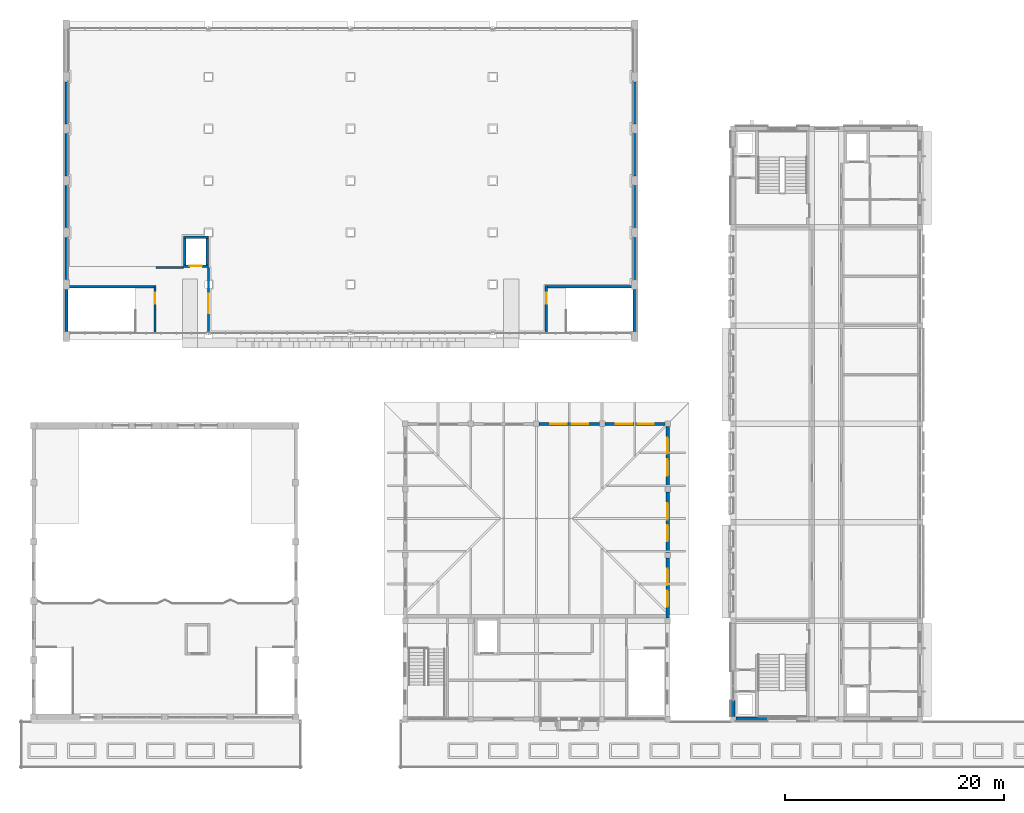
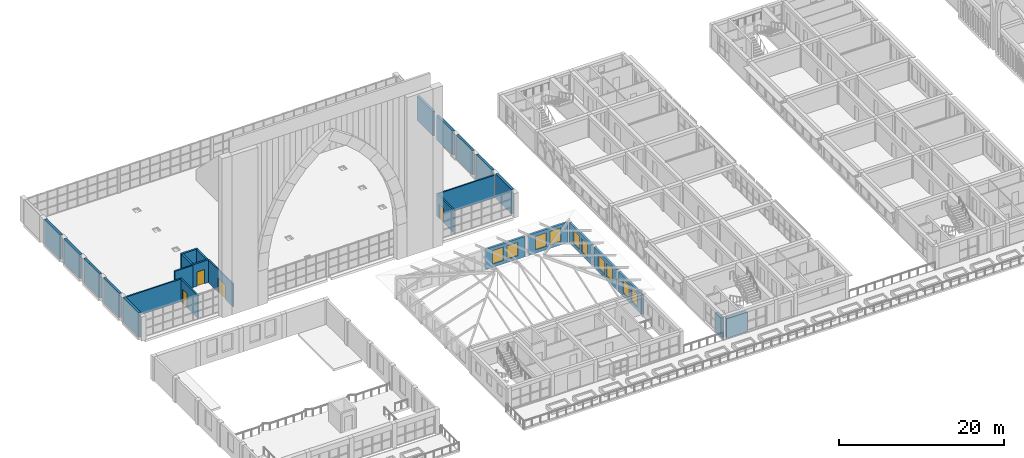
# One storey, part 44 of 82: 27 walls, 10 windows, 4 doors, 14 openings.
"""IFC4 building model written with IfcOpenShell, lengths in metres."""

from ifc_helpers import new_model, si_unit, direction, frame, frame_2d, origin, place, context, subcontext, project, spatial, rectangle, extrude, material, layer, layer_set, type_object, element, fill, save


model = new_model("IFC4")

# Units and contexts
model_context = context("Model", 3, precision=1e-05, world=origin(), true_north=direction((0.0, 1.0)))
body_context = subcontext(model_context, "Body", "Model", "MODEL_VIEW")
ifc_project = project(units=[si_unit("LENGTHUNIT", "METRE"), si_unit("AREAUNIT", "SQUARE_METRE"), si_unit("VOLUMEUNIT", "CUBIC_METRE"), si_unit("PLANEANGLEUNIT", "RADIAN"), si_unit("MASSUNIT", "GRAM", prefix="KILO")], contexts=[model_context])

# Site, building, storey
site_placement = place(None, origin())
site = spatial("IfcSite", under=ifc_project, at=site_placement, CompositionType="ELEMENT")
building_placement = place(site_placement, origin())
building = spatial("IfcBuilding", under=site, at=building_placement, Name="Elbe Cascade School", CompositionType="ELEMENT")
storey_placement = place(building_placement, frame((0.0, 0.0, 4.5)))
storey = spatial("IfcBuildingStorey", under=building, at=storey_placement, Name="L01", CompositionType="ELEMENT", Elevation=4.5)

# Walls
ifc_material_1 = material(Name="Brick masonry - red clinker, solid, sandstone-faced", Category="masonry")
ifc_layer_1 = layer(ifc_material_1, 0.39990234375)
ifc_layer_set_1 = layer_set([ifc_layer_1], Name="Brick masonry - red clinker, solid, sandstone-faced")
wall_type_1 = type_object("IfcWallType", Name="Bars envelope External wall - solid masonry core strip, sandstone faced, 400", PredefinedType="STANDARD", material=ifc_layer_set_1)
wall_1_placement = place(storey_placement, frame((68.97998046875, 6.25, 0.0), z_axis=(0.0, 0.0, 1.0), x_axis=(0.0, 1.0, 0.0)))
element("IfcWall", 1, at=wall_1_placement, inside=storey, type_object=wall_type_1, Name="External wall W31 A.L01.w1a", PredefinedType="STANDARD", context=body_context, shape_type="SweptSolid", body=[
    extrude(rectangle(XDim=1.43994140625, YDim=0.39990234375, at=frame_2d((0.719970703125, 0.0))), origin(), (0.0, 0.0, 1.0), 2.85009765625),
])
wall_2_placement = place(storey_placement, frame((72.14990234375, 5.97998046875, 0.0), z_axis=(0.0, 0.0, 1.0), x_axis=(-1.0, 0.0, 0.0)))
element("IfcWall", 2, at=wall_2_placement, inside=storey, type_object=wall_type_1, Name="External wall W31 A.L01.s1a", PredefinedType="STANDARD", context=body_context, shape_type="SweptSolid", body=[
    extrude(rectangle(XDim=2.89990234375, YDim=0.39990234375, at=frame_2d((1.449951171875, 0.0))), origin(), (0.0, 0.0, 1.0), 2.89990234375),
])

# Wall, openings, windows
ifc_material_2 = material(Name="Concrete C30/37", Category="concrete")
ifc_layer_2 = layer(ifc_material_2, 0.300048828125)
ifc_layer_set_2 = layer_set([ifc_layer_2], Name="Concrete C30/37")
wall_type_2 = type_object("IfcWallType", Name="Dining hall RC wall 300", PredefinedType="SOLIDWALL", material=ifc_layer_set_2)
wall_3_placement = place(storey_placement, frame((63.0, 20.75, 0.0), z_axis=(0.0, 0.0, 1.0), x_axis=(0.0, -1.0, 0.0)))
wall_3 = element("IfcWall", 3, at=wall_3_placement, inside=storey, type_object=wall_type_2, Name="Dining hall RC wall 300 W11", PredefinedType="SOLIDWALL", context=body_context, shape_type="SweptSolid", body=[
    extrude(rectangle(XDim=5.5, YDim=0.300048828125, at=frame_2d((2.75, 0.0))), origin(), (0.0, 0.0, 1.0), 2.992919921875),
])
opening_1_placement = place(wall_3_placement, frame((3.0, 0.0, 0.5)))
opening_1 = element("IfcOpeningElement", 4, at=opening_1_placement, cuts=wall_3, Name="Opening W1.163", PredefinedType="OPENING", context=body_context, shape_type="SweptSolid", body=[
    extrude(rectangle(XDim=1.5, YDim=2.0, at=frame_2d((0.75, 1.0))), frame((0.0, 0.159912109375, 0.0), z_axis=(0.0, -1.0, 0.0), x_axis=(1.0, 0.0, 0.0)), (0.0, 0.0, 1.0), 0.320068359375),
])
opening_2_placement = place(wall_3_placement, frame((1.0, 0.0, 0.5)))
opening_2 = element("IfcOpeningElement", 5, at=opening_2_placement, cuts=wall_3, Name="Opening W1.165", PredefinedType="OPENING", context=body_context, shape_type="SweptSolid", body=[
    extrude(rectangle(XDim=1.5, YDim=2.0, at=frame_2d((0.75, 1.0))), frame((0.0, 0.159912109375, 0.0), z_axis=(0.0, -1.0, 0.0), x_axis=(1.0, 0.0, 0.0)), (0.0, 0.0, 1.0), 0.320068359375),
])
ifc_material_3 = material(Name="Aluminium - bronze anodised", Category="aluminium")
window_type = type_object("IfcWindowType", Name="Dining hall clerestory window 1500x2000 sill 500", PartitioningType="SINGLE_PANEL", PredefinedType="WINDOW", material=ifc_material_3)
window_1_placement = place(opening_1_placement, origin())
window_1 = element("IfcWindow", 6, at=window_1_placement, inside=storey, type_object=window_type, Name="Dining hall clerestory window 1500x2000 sill 500 W1.163", OverallHeight=2.0, OverallWidth=1.5, PartitioningType="SINGLE_PANEL", PredefinedType="WINDOW", context=body_context, shape_type="SweptSolid", body=[
    extrude(rectangle(XDim=1.5, YDim=2.0, at=frame_2d((0.75, 1.0))), frame((0.0, 0.030029296875, 0.0), z_axis=(0.0, -1.0, 0.0), x_axis=(1.0, 0.0, 0.0)), (0.0, 0.0, 1.0), 0.06005859375),
])
fill(opening_1, window_1)
window_2_placement = place(opening_2_placement, origin())
window_2 = element("IfcWindow", 7, at=window_2_placement, inside=storey, type_object=window_type, Name="Dining hall clerestory window 1500x2000 sill 500 W1.165", OverallHeight=2.0, OverallWidth=1.5, PartitioningType="SINGLE_PANEL", PredefinedType="WINDOW", context=body_context, shape_type="SweptSolid", body=[
    extrude(rectangle(XDim=1.5, YDim=2.0, at=frame_2d((0.75, 1.0))), frame((0.0, 0.030029296875, 0.0), z_axis=(0.0, -1.0, 0.0), x_axis=(1.0, 0.0, 0.0)), (0.0, 0.0, 1.0), 0.06005859375),
])
fill(opening_2, window_2)

wall_4_placement = place(storey_placement, frame((63.0, 26.75, 0.0), z_axis=(0.0, 0.0, 1.0), x_axis=(0.0, -1.0, 0.0)))
wall_4 = element("IfcWall", 8, at=wall_4_placement, inside=storey, type_object=wall_type_2, Name="Dining hall RC wall 300 W11", PredefinedType="SOLIDWALL", context=body_context, shape_type="SweptSolid", body=[
    extrude(rectangle(XDim=5.5, YDim=0.300048828125, at=frame_2d((2.75, 0.0))), origin(), (0.0, 0.0, 1.0), 2.992919921875),
])
opening_3_placement = place(wall_4_placement, frame((3.0, 0.0, 0.5)))
opening_3 = element("IfcOpeningElement", 9, at=opening_3_placement, cuts=wall_4, Name="Opening W1.167", PredefinedType="OPENING", context=body_context, shape_type="SweptSolid", body=[
    extrude(rectangle(XDim=1.5, YDim=2.0, at=frame_2d((0.75, 1.0))), frame((0.0, 0.159912109375, 0.0), z_axis=(0.0, -1.0, 0.0), x_axis=(1.0, 0.0, 0.0)), (0.0, 0.0, 1.0), 0.320068359375),
])
opening_4_placement = place(wall_4_placement, frame((1.0, 0.0, 0.5)))
opening_4 = element("IfcOpeningElement", 10, at=opening_4_placement, cuts=wall_4, Name="Opening W1.169", PredefinedType="OPENING", context=body_context, shape_type="SweptSolid", body=[
    extrude(rectangle(XDim=1.5, YDim=2.0, at=frame_2d((0.75, 1.0))), frame((0.0, 0.159912109375, 0.0), z_axis=(0.0, -1.0, 0.0), x_axis=(1.0, 0.0, 0.0)), (0.0, 0.0, 1.0), 0.320068359375),
])
window_3_placement = place(opening_3_placement, origin())
window_3 = element("IfcWindow", 11, at=window_3_placement, inside=storey, type_object=window_type, Name="Dining hall clerestory window 1500x2000 sill 500 W1.167", OverallHeight=2.0, OverallWidth=1.5, PartitioningType="SINGLE_PANEL", PredefinedType="WINDOW", context=body_context, shape_type="SweptSolid", body=[
    extrude(rectangle(XDim=1.5, YDim=2.0, at=frame_2d((0.75, 1.0))), frame((0.0, 0.030029296875, 0.0), z_axis=(0.0, -1.0, 0.0), x_axis=(1.0, 0.0, 0.0)), (0.0, 0.0, 1.0), 0.06005859375),
])
fill(opening_3, window_3)
window_4_placement = place(opening_4_placement, origin())
window_4 = element("IfcWindow", 12, at=window_4_placement, inside=storey, type_object=window_type, Name="Dining hall clerestory window 1500x2000 sill 500 W1.169", OverallHeight=2.0, OverallWidth=1.5, PartitioningType="SINGLE_PANEL", PredefinedType="WINDOW", context=body_context, shape_type="SweptSolid", body=[
    extrude(rectangle(XDim=1.5, YDim=2.0, at=frame_2d((0.75, 1.0))), frame((0.0, 0.030029296875, 0.0), z_axis=(0.0, -1.0, 0.0), x_axis=(1.0, 0.0, 0.0)), (0.0, 0.0, 1.0), 0.06005859375),
])
fill(opening_4, window_4)

wall_5_placement = place(storey_placement, frame((63.0, 32.75, 0.0), z_axis=(0.0, 0.0, 1.0), x_axis=(0.0, -1.0, 0.0)))
wall_5 = element("IfcWall", 13, at=wall_5_placement, inside=storey, type_object=wall_type_2, Name="Dining hall RC wall 300 W11", PredefinedType="SOLIDWALL", context=body_context, shape_type="SweptSolid", body=[
    extrude(rectangle(XDim=5.5, YDim=0.300048828125, at=frame_2d((2.75, 0.0))), origin(), (0.0, 0.0, 1.0), 2.992919921875),
])
opening_5_placement = place(wall_5_placement, frame((3.0, 0.0, 0.5)))
opening_5 = element("IfcOpeningElement", 14, at=opening_5_placement, cuts=wall_5, Name="Opening W1.171", PredefinedType="OPENING", context=body_context, shape_type="SweptSolid", body=[
    extrude(rectangle(XDim=1.5, YDim=2.0, at=frame_2d((0.75, 1.0))), frame((0.0, 0.159912109375, 0.0), z_axis=(0.0, -1.0, 0.0), x_axis=(1.0, 0.0, 0.0)), (0.0, 0.0, 1.0), 0.320068359375),
])
opening_6_placement = place(wall_5_placement, frame((1.0, 0.0, 0.5)))
opening_6 = element("IfcOpeningElement", 15, at=opening_6_placement, cuts=wall_5, Name="Opening W1.173", PredefinedType="OPENING", context=body_context, shape_type="SweptSolid", body=[
    extrude(rectangle(XDim=1.5, YDim=2.0, at=frame_2d((0.75, 1.0))), frame((0.0, 0.159912109375, 0.0), z_axis=(0.0, -1.0, 0.0), x_axis=(1.0, 0.0, 0.0)), (0.0, 0.0, 1.0), 0.320068359375),
])
window_5_placement = place(opening_5_placement, origin())
window_5 = element("IfcWindow", 16, at=window_5_placement, inside=storey, type_object=window_type, Name="Dining hall clerestory window 1500x2000 sill 500 W1.171", OverallHeight=2.0, OverallWidth=1.5, PartitioningType="SINGLE_PANEL", PredefinedType="WINDOW", context=body_context, shape_type="SweptSolid", body=[
    extrude(rectangle(XDim=1.5, YDim=2.0, at=frame_2d((0.75, 1.0))), frame((0.0, 0.030029296875, 0.0), z_axis=(0.0, -1.0, 0.0), x_axis=(1.0, 0.0, 0.0)), (0.0, 0.0, 1.0), 0.06005859375),
])
fill(opening_5, window_5)
window_6_placement = place(opening_6_placement, origin())
window_6 = element("IfcWindow", 17, at=window_6_placement, inside=storey, type_object=window_type, Name="Dining hall clerestory window 1500x2000 sill 500 W1.173", OverallHeight=2.0, OverallWidth=1.5, PartitioningType="SINGLE_PANEL", PredefinedType="WINDOW", context=body_context, shape_type="SweptSolid", body=[
    extrude(rectangle(XDim=1.5, YDim=2.0, at=frame_2d((0.75, 1.0))), frame((0.0, 0.030029296875, 0.0), z_axis=(0.0, -1.0, 0.0), x_axis=(1.0, 0.0, 0.0)), (0.0, 0.0, 1.0), 0.06005859375),
])
fill(opening_6, window_6)

wall_6_placement = place(storey_placement, frame((51.25, 33.0, 0.0), z_axis=(0.0, 0.0, 1.0), x_axis=(1.0, 0.0, 0.0)))
wall_6 = element("IfcWall", 18, at=wall_6_placement, inside=storey, type_object=wall_type_2, Name="Dining hall RC wall 300 W11", PredefinedType="SOLIDWALL", context=body_context, shape_type="SweptSolid", body=[
    extrude(rectangle(XDim=5.5, YDim=0.300048828125, at=frame_2d((2.75, 0.0))), origin(), (0.0, 0.0, 1.0), 2.992919921875),
])
opening_7_placement = place(wall_6_placement, frame((1.0, 0.0, 0.5)))
opening_7 = element("IfcOpeningElement", 19, at=opening_7_placement, cuts=wall_6, Name="Opening W1.178", PredefinedType="OPENING", context=body_context, shape_type="SweptSolid", body=[
    extrude(rectangle(XDim=1.5, YDim=2.0, at=frame_2d((0.75, 1.0))), frame((0.0, 0.159912109375, 0.0), z_axis=(0.0, -1.0, 0.0), x_axis=(1.0, 0.0, 0.0)), (0.0, 0.0, 1.0), 0.320068359375),
])
opening_8_placement = place(wall_6_placement, frame((3.0, 0.0, 0.5)))
opening_8 = element("IfcOpeningElement", 20, at=opening_8_placement, cuts=wall_6, Name="Opening W1.179", PredefinedType="OPENING", context=body_context, shape_type="SweptSolid", body=[
    extrude(rectangle(XDim=1.5, YDim=2.0, at=frame_2d((0.75, 1.0))), frame((0.0, 0.159912109375, 0.0), z_axis=(0.0, -1.0, 0.0), x_axis=(1.0, 0.0, 0.0)), (0.0, 0.0, 1.0), 0.320068359375),
])
window_7_placement = place(opening_7_placement, origin())
window_7 = element("IfcWindow", 21, at=window_7_placement, inside=storey, type_object=window_type, Name="Dining hall clerestory window 1500x2000 sill 500 W1.178", OverallHeight=2.0, OverallWidth=1.5, PartitioningType="SINGLE_PANEL", PredefinedType="WINDOW", context=body_context, shape_type="SweptSolid", body=[
    extrude(rectangle(XDim=1.5, YDim=2.0, at=frame_2d((0.75, 1.0))), frame((0.0, 0.030029296875, 0.0), z_axis=(0.0, -1.0, 0.0), x_axis=(1.0, 0.0, 0.0)), (0.0, 0.0, 1.0), 0.06005859375),
])
fill(opening_7, window_7)
window_8_placement = place(opening_8_placement, origin())
window_8 = element("IfcWindow", 22, at=window_8_placement, inside=storey, type_object=window_type, Name="Dining hall clerestory window 1500x2000 sill 500 W1.179", OverallHeight=2.0, OverallWidth=1.5, PartitioningType="SINGLE_PANEL", PredefinedType="WINDOW", context=body_context, shape_type="SweptSolid", body=[
    extrude(rectangle(XDim=1.5, YDim=2.0, at=frame_2d((0.75, 1.0))), frame((0.0, 0.030029296875, 0.0), z_axis=(0.0, -1.0, 0.0), x_axis=(1.0, 0.0, 0.0)), (0.0, 0.0, 1.0), 0.06005859375),
])
fill(opening_8, window_8)

wall_7_placement = place(storey_placement, frame((57.25, 33.0, 0.0), z_axis=(0.0, 0.0, 1.0), x_axis=(1.0, 0.0, 0.0)))
wall_7 = element("IfcWall", 23, at=wall_7_placement, inside=storey, type_object=wall_type_2, Name="Dining hall RC wall 300 W11", PredefinedType="SOLIDWALL", context=body_context, shape_type="SweptSolid", body=[
    extrude(rectangle(XDim=5.5, YDim=0.300048828125, at=frame_2d((2.75, 0.0))), origin(), (0.0, 0.0, 1.0), 2.992919921875),
])
opening_9_placement = place(wall_7_placement, frame((1.0, 0.0, 0.5)))
opening_9 = element("IfcOpeningElement", 24, at=opening_9_placement, cuts=wall_7, Name="Opening W1.180", PredefinedType="OPENING", context=body_context, shape_type="SweptSolid", body=[
    extrude(rectangle(XDim=1.5, YDim=2.0, at=frame_2d((0.75, 1.0))), frame((0.0, 0.159912109375, 0.0), z_axis=(0.0, -1.0, 0.0), x_axis=(1.0, 0.0, 0.0)), (0.0, 0.0, 1.0), 0.320068359375),
])
opening_10_placement = place(wall_7_placement, frame((3.0, 0.0, 0.5)))
opening_10 = element("IfcOpeningElement", 25, at=opening_10_placement, cuts=wall_7, Name="Opening W1.181", PredefinedType="OPENING", context=body_context, shape_type="SweptSolid", body=[
    extrude(rectangle(XDim=1.5, YDim=2.0, at=frame_2d((0.75, 1.0))), frame((0.0, 0.159912109375, 0.0), z_axis=(0.0, -1.0, 0.0), x_axis=(1.0, 0.0, 0.0)), (0.0, 0.0, 1.0), 0.320068359375),
])
window_9_placement = place(opening_9_placement, origin())
window_9 = element("IfcWindow", 26, at=window_9_placement, inside=storey, type_object=window_type, Name="Dining hall clerestory window 1500x2000 sill 500 W1.180", OverallHeight=2.0, OverallWidth=1.5, PartitioningType="SINGLE_PANEL", PredefinedType="WINDOW", context=body_context, shape_type="SweptSolid", body=[
    extrude(rectangle(XDim=1.5, YDim=2.0, at=frame_2d((0.75, 1.0))), frame((0.0, 0.030029296875, 0.0), z_axis=(0.0, -1.0, 0.0), x_axis=(1.0, 0.0, 0.0)), (0.0, 0.0, 1.0), 0.06005859375),
])
fill(opening_9, window_9)
window_10_placement = place(opening_10_placement, origin())
window_10 = element("IfcWindow", 27, at=window_10_placement, inside=storey, type_object=window_type, Name="Dining hall clerestory window 1500x2000 sill 500 W1.181", OverallHeight=2.0, OverallWidth=1.5, PartitioningType="SINGLE_PANEL", PredefinedType="WINDOW", context=body_context, shape_type="SweptSolid", body=[
    extrude(rectangle(XDim=1.5, YDim=2.0, at=frame_2d((0.75, 1.0))), frame((0.0, 0.030029296875, 0.0), z_axis=(0.0, -1.0, 0.0), x_axis=(1.0, 0.0, 0.0)), (0.0, 0.0, 1.0), 0.06005859375),
])
fill(opening_10, window_10)

# Wall, opening, door
ifc_material_4 = material(Name="Blockwork - lightweight aggregate, fire-rated", Category="masonry")
ifc_layer_3 = layer(ifc_material_4, 0.199951171875)
ifc_layer_set_3 = layer_set([ifc_layer_3], Name="Blockwork - lightweight aggregate, fire-rated")
wall_type_3 = type_object("IfcWallType", Name="Hall fire-rated partition 200", PredefinedType="PARTITIONING", material=ifc_layer_set_3)
wall_8_placement = place(storey_placement, frame((21.0, 41.375, 0.0), z_axis=(0.0, 0.0, 1.0), x_axis=(0.0, 1.0, 0.0)))
wall_8 = element("IfcWall", 28, at=wall_8_placement, inside=storey, type_object=wall_type_3, Name="Partition", PredefinedType="PARTITIONING", context=body_context, shape_type="SweptSolid", body=[
    extrude(rectangle(XDim=5.925048828125, YDim=0.199951171875, at=frame_2d((2.96240234375, 0.0))), origin(), (0.0, 0.0, 1.0), 3.35009765625),
])
opening_11_placement = place(wall_8_placement, frame((1.72509765625, 0.0, 0.0)))
opening_11 = element("IfcOpeningElement", 29, at=opening_11_placement, cuts=wall_8, Name="Opening D1.109", PredefinedType="OPENING", context=body_context, shape_type="SweptSolid", body=[
    extrude(rectangle(XDim=1.800048828125, YDim=2.10009765625, at=frame_2d((0.89990234375, 1.050048828125))), frame((0.0, 0.10986328125, 0.0), z_axis=(0.0, -1.0, 0.0), x_axis=(1.0, 0.0, 0.0)), (0.0, 0.0, 1.0), 0.219970703125),
])
ifc_material_5 = material(Name="Timber door leaf", Category="wood")
door_type_1 = type_object("IfcDoorType", Name="Hall double door 1800", OperationType="DOUBLE_DOOR_SINGLE_SWING", PredefinedType="DOOR", material=ifc_material_5)
door_1_placement = place(opening_11_placement, frame((1.800048828125, 0.0, 0.0), z_axis=(0.0, 0.0, 1.0), x_axis=(-1.0, 0.0, 0.0)))
door_1 = element("IfcDoor", 30, at=door_1_placement, inside=storey, type_object=door_type_1, Name="Hall door", OperationType="DOUBLE_DOOR_SINGLE_SWING", OverallHeight=2.10009765625, OverallWidth=1.800048828125, PredefinedType="DOOR", context=body_context, shape_type="SweptSolid", body=[
    extrude(rectangle(XDim=1.800048828125, YDim=2.10009765625, at=frame_2d((0.89990234375, 1.050048828125))), frame((0.0, 0.02490234375, 0.0), z_axis=(0.0, -1.0, 0.0), x_axis=(1.0, 0.0, 0.0)), (0.0, 0.0, 1.0), 0.050048828125),
])
fill(opening_11, door_1)

# Wall
wall_9_placement = place(storey_placement, frame((16.199951171875, 47.300048828125, 0.0), z_axis=(0.0, 0.0, 1.0), x_axis=(1.0, 0.0, 0.0)))
element("IfcWall", 31, at=wall_9_placement, inside=storey, type_object=wall_type_3, Name="Partition", PredefinedType="PARTITIONING", context=body_context, shape_type="SweptSolid", body=[
    extrude(rectangle(XDim=2.5, YDim=0.199951171875, at=frame_2d((1.25, 0.0))), origin(), (0.0, 0.0, 1.0), 3.35009765625),
])

# Wall, opening, door
ifc_material_6 = material(Name="Concrete C30/37 shaft wall", Category="concrete")
ifc_layer_4 = layer(ifc_material_6, 0.25)
ifc_layer_set_4 = layer_set([ifc_layer_4], Name="Concrete C30/37 shaft wall")
wall_type_4 = type_object("IfcWallType", Name="Hall lift shaft wall Concrete C30/37 250", PredefinedType="SOLIDWALL", material=ifc_layer_set_4)
wall_10_placement = place(storey_placement, frame((18.699951171875, 47.425048828125, 0.0), z_axis=(0.0, 0.0, 1.0), x_axis=(1.0, 0.0, 0.0)))
wall_10 = element("IfcWall", 32, at=wall_10_placement, inside=storey, type_object=wall_type_4, Name="Lift shaft wall", PredefinedType="SOLIDWALL", context=body_context, shape_type="SweptSolid", body=[
    extrude(rectangle(XDim=2.300048828125, YDim=0.25, at=frame_2d((1.14990234375, 0.0))), origin(), (0.0, 0.0, 1.0), 3.35009765625),
])
opening_12_placement = place(wall_10_placement, frame((0.60009765625, 0.0, 0.0)))
opening_12 = element("IfcOpeningElement", 33, at=opening_12_placement, cuts=wall_10, Name="Opening D1.112", PredefinedType="OPENING", context=body_context, shape_type="SweptSolid", body=[
    extrude(rectangle(XDim=1.10009765625, YDim=2.10009765625, at=frame_2d((0.550048828125, 1.050048828125))), frame((0.0, 0.135009765625, 0.0), z_axis=(0.0, -1.0, 0.0), x_axis=(1.0, 0.0, 0.0)), (0.0, 0.0, 1.0), 0.27001953125),
])
ifc_material_7 = material(Name="Steel - stainless sliding leaf", Category="steel")
door_type_2 = type_object("IfcDoorType", Name="Hall lift landing door 1100", OperationType="SLIDING_TO_LEFT", PredefinedType="DOOR", material=ifc_material_7)
door_2_placement = place(opening_12_placement, frame((1.10009765625, 0.0, 0.0), z_axis=(0.0, 0.0, 1.0), x_axis=(-1.0, 0.0, 0.0)))
door_2 = element("IfcDoor", 34, at=door_2_placement, inside=storey, type_object=door_type_2, Name="Lift landing door", OperationType="SLIDING_TO_LEFT", OverallHeight=2.10009765625, OverallWidth=1.10009765625, PredefinedType="DOOR", context=body_context, shape_type="SweptSolid", body=[
    extrude(rectangle(XDim=1.10009765625, YDim=2.10009765625, at=frame_2d((0.550048828125, 1.050048828125))), frame((0.0, 0.02490234375, 0.0), z_axis=(0.0, -1.0, 0.0), x_axis=(1.0, 0.0, 0.0)), (0.0, 0.0, 1.0), 0.050048828125),
])
fill(opening_12, door_2)

# Walls
wall_11_placement = place(storey_placement, frame((18.699951171875, 50.074951171875, 0.0), z_axis=(0.0, 0.0, 1.0), x_axis=(1.0, 0.0, 0.0)))
element("IfcWall", 35, at=wall_11_placement, inside=storey, type_object=wall_type_4, Name="Lift shaft wall", PredefinedType="SOLIDWALL", context=body_context, shape_type="SweptSolid", body=[
    extrude(rectangle(XDim=2.300048828125, YDim=0.25, at=frame_2d((1.14990234375, 0.0))), origin(), (0.0, 0.0, 1.0), 3.35009765625),
])
for number, where, z_axis, x_axis, name in (
    (36, (18.824951171875, 47.550048828125, 0.0), (0.0, 0.0, 1.0), (0.0, 1.0, 0.0), "Lift shaft wall"),
    (37, (20.875, 47.550048828125, 0.0), (0.0, 0.0, 1.0), (0.0, 1.0, 0.0), "Lift shaft wall"),
):
    element("IfcWall", number, at=place(storey_placement, frame(where, z_axis=z_axis, x_axis=x_axis)), inside=storey, type_object=wall_type_4, Name=name, PredefinedType="SOLIDWALL", context=body_context, shape_type="SweptSolid", body=[
        extrude(rectangle(XDim=2.39990234375, YDim=0.25, at=frame_2d((1.199951171875, 0.0))), origin(), (0.0, 0.0, 1.0), 3.35009765625),
    ])

# Wall, opening, door
ifc_material_8 = material(Name="Concrete C30/37", Category="concrete")
ifc_layer_5 = layer(ifc_material_8, 0.199951171875)
ifc_layer_set_5 = layer_set([ifc_layer_5], Name="Concrete C30/37")
wall_type_5 = type_object("IfcWallType", Name="Hall stair room wall 200", PredefinedType="SOLIDWALL", material=ifc_layer_set_5)
wall_12_placement = place(storey_placement, frame((16.10009765625, 41.375, 0.0), z_axis=(0.0, 0.0, 1.0), x_axis=(0.0, 1.0, 0.0)))
wall_12 = element("IfcWall", 38, at=wall_12_placement, inside=storey, type_object=wall_type_5, Name="Stair room wall", PredefinedType="SOLIDWALL", context=body_context, shape_type="SweptSolid", body=[
    extrude(rectangle(XDim=4.27490234375, YDim=0.199951171875, at=frame_2d((2.137451171875, 0.0))), origin(), (0.0, 0.0, 1.0), 3.35009765625),
])
opening_13_placement = place(wall_12_placement, frame((2.625, 0.0, 0.0)))
opening_13 = element("IfcOpeningElement", 39, at=opening_13_placement, cuts=wall_12, Name="Opening D1.110", PredefinedType="OPENING", context=body_context, shape_type="SweptSolid", body=[
    extrude(rectangle(XDim=1.0, YDim=2.10009765625, at=frame_2d((0.5, 1.050048828125))), frame((0.0, 0.10986328125, 0.0), z_axis=(0.0, -1.0, 0.0), x_axis=(1.0, 0.0, 0.0)), (0.0, 0.0, 1.0), 0.219970703125),
])
ifc_material_9 = material(Name="Steel fire door leaf", Category="steel")
door_type_3 = type_object("IfcDoorType", Name="Hall fire door 1000 FD30S", OperationType="SINGLE_SWING_LEFT", PredefinedType="DOOR", material=ifc_material_9)
door_3_placement = place(opening_13_placement, frame((1.0, 0.0, 0.0), z_axis=(0.0, 0.0, 1.0), x_axis=(-1.0, 0.0, 0.0)))
door_3 = element("IfcDoor", 40, at=door_3_placement, inside=storey, type_object=door_type_3, Name="Stair door", OperationType="SINGLE_SWING_LEFT", OverallHeight=2.10009765625, OverallWidth=1.0, PredefinedType="DOOR", context=body_context, shape_type="SweptSolid", body=[
    extrude(rectangle(XDim=1.0, YDim=2.10009765625, at=frame_2d((0.5, 1.050048828125))), frame((0.0, 0.02490234375, 0.0), z_axis=(0.0, -1.0, 0.0), x_axis=(1.0, 0.0, 0.0)), (0.0, 0.0, 1.0), 0.050048828125),
])
fill(opening_13, door_3)

# Wall
wall_13_placement = place(storey_placement, frame((8.14990234375, 45.550048828125, 0.0), z_axis=(0.0, 0.0, 1.0), x_axis=(1.0, 0.0, 0.0)))
element("IfcWall", 41, at=wall_13_placement, inside=storey, type_object=wall_type_5, Name="Stair room wall", PredefinedType="SOLIDWALL", context=body_context, shape_type="SweptSolid", body=[
    extrude(rectangle(XDim=7.85009765625, YDim=0.199951171875, at=frame_2d((3.925048828125, 0.0))), origin(), (0.0, 0.0, 1.0), 3.35009765625),
])

# Wall, opening, door
wall_14_placement = place(storey_placement, frame((51.89990234375, 41.375, 0.0), z_axis=(0.0, 0.0, 1.0), x_axis=(0.0, 1.0, 0.0)))
wall_14 = element("IfcWall", 42, at=wall_14_placement, inside=storey, type_object=wall_type_5, Name="Stair room wall", PredefinedType="SOLIDWALL", context=body_context, shape_type="SweptSolid", body=[
    extrude(rectangle(XDim=4.27490234375, YDim=0.199951171875, at=frame_2d((2.137451171875, 0.0))), origin(), (0.0, 0.0, 1.0), 3.35009765625),
])
opening_14_placement = place(wall_14_placement, frame((2.625, 0.0, 0.0)))
opening_14 = element("IfcOpeningElement", 43, at=opening_14_placement, cuts=wall_14, Name="Opening D1.111", PredefinedType="OPENING", context=body_context, shape_type="SweptSolid", body=[
    extrude(rectangle(XDim=1.0, YDim=2.10009765625, at=frame_2d((0.5, 1.050048828125))), frame((0.0, 0.10986328125, 0.0), z_axis=(0.0, -1.0, 0.0), x_axis=(1.0, 0.0, 0.0)), (0.0, 0.0, 1.0), 0.219970703125),
])
door_4_placement = place(opening_14_placement, origin())
door_4 = element("IfcDoor", 44, at=door_4_placement, inside=storey, type_object=door_type_3, Name="Stair door", OperationType="SINGLE_SWING_RIGHT", OverallHeight=2.10009765625, OverallWidth=1.0, PredefinedType="DOOR", context=body_context, shape_type="SweptSolid", body=[
    extrude(rectangle(XDim=1.0, YDim=2.10009765625, at=frame_2d((0.5, 1.050048828125))), frame((0.0, 0.02490234375, 0.0), z_axis=(0.0, -1.0, 0.0), x_axis=(1.0, 0.0, 0.0)), (0.0, 0.0, 1.0), 0.050048828125),
])
fill(opening_14, door_4)

# Walls
wall_15_placement = place(storey_placement, frame((52.0, 45.550048828125, 0.0), z_axis=(0.0, 0.0, 1.0), x_axis=(1.0, 0.0, 0.0)))
element("IfcWall", 45, at=wall_15_placement, inside=storey, type_object=wall_type_5, Name="Stair room wall", PredefinedType="SOLIDWALL", context=body_context, shape_type="SweptSolid", body=[
    extrude(rectangle(XDim=7.85009765625, YDim=0.199951171875, at=frame_2d((3.925048828125, 0.0))), origin(), (0.0, 0.0, 1.0), 3.35009765625),
])
ifc_material_10 = material(Name="Concrete C30/37 wall", Category="concrete")
ifc_layer_6 = layer(ifc_material_10, 0.300048828125)
ifc_layer_set_6 = layer_set([ifc_layer_6], Name="Concrete C30/37 wall")
wall_type_6 = type_object("IfcWallType", Name="Hall wall Concrete C30/37 300", PredefinedType="SOLIDWALL", material=ifc_layer_set_6)
for number, where, z_axis, x_axis, name in (
    (46, (8.0, 41.449951171875, 0.0), (0.0, 0.0, 1.0), (0.0, 1.0, 0.0), "Hall wall W1"),
    (47, (8.0, 46.199951171875, 0.0), (0.0, 0.0, 1.0), (0.0, 1.0, 0.0), "Hall wall W2"),
    (48, (8.0, 50.949951171875, 0.0), (0.0, 0.0, 1.0), (0.0, 1.0, 0.0), "Hall wall W3"),
    (49, (8.0, 55.699951171875, 0.0), (0.0, 0.0, 1.0), (0.0, 1.0, 0.0), "Hall wall W4"),
    (50, (8.0, 60.449951171875, 0.0), (0.0, 0.0, 1.0), (0.0, 1.0, 0.0), "Hall wall W5"),
    (51, (60.0, 41.449951171875, 0.0), (0.0, 0.0, 1.0), (0.0, 1.0, 0.0), "Hall wall E1"),
    (52, (60.0, 46.199951171875, 0.0), (0.0, 0.0, 1.0), (0.0, 1.0, 0.0), "Hall wall E2"),
    (53, (60.0, 50.949951171875, 0.0), (0.0, 0.0, 1.0), (0.0, 1.0, 0.0), "Hall wall E3"),
    (54, (60.0, 55.699951171875, 0.0), (0.0, 0.0, 1.0), (0.0, 1.0, 0.0), "Hall wall E4"),
    (55, (60.0, 60.449951171875, 0.0), (0.0, 0.0, 1.0), (0.0, 1.0, 0.0), "Hall wall E5"),
):
    element("IfcWall", number, at=place(storey_placement, frame(where, z_axis=z_axis, x_axis=x_axis)), inside=storey, type_object=wall_type_6, Name=name, PredefinedType="SOLIDWALL", context=body_context, shape_type="SweptSolid", body=[
        extrude(rectangle(XDim=3.85009765625, YDim=0.300048828125, at=frame_2d((1.925048828125, 0.0))), origin(), (0.0, 0.0, 1.0), 3.60009765625),
    ])

save(model, "model.ifc")
